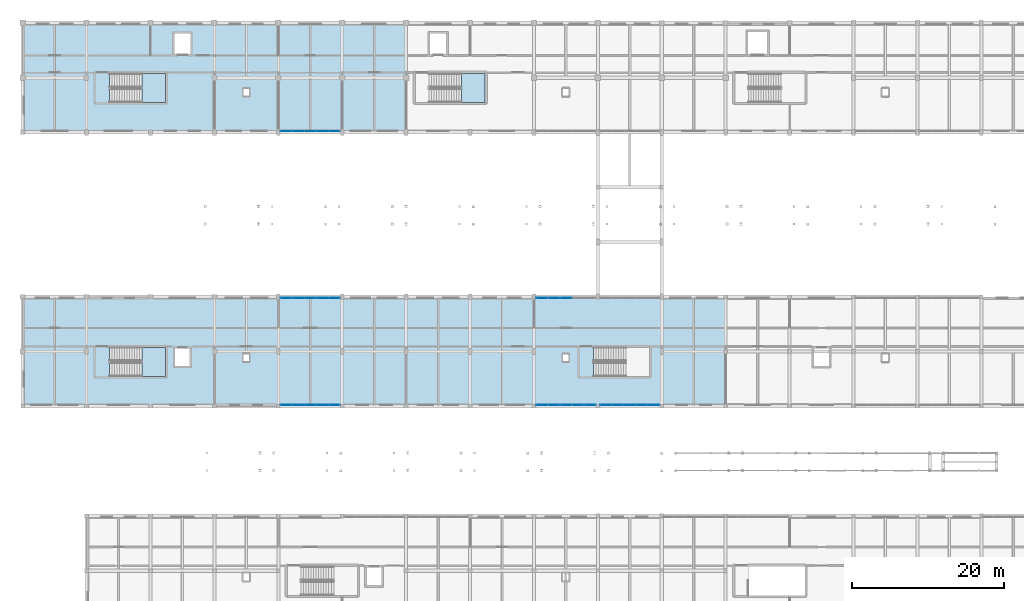
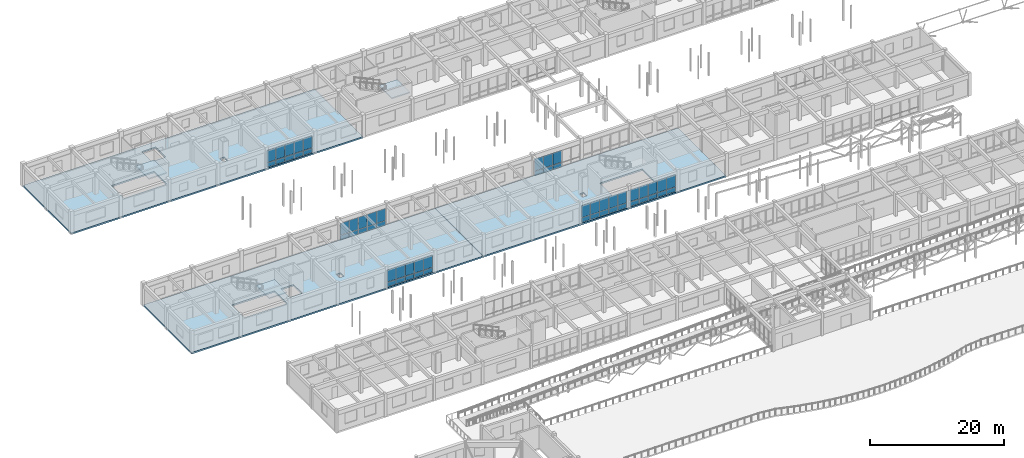
# One storey, part 60 of 90: 56 plates, 6 slabs, 9 elements without a shape of their own.
"""IFC4 building model written with IfcOpenShell, lengths in metres."""

from ifc_helpers import new_model, si_unit, direction, frame, origin, origin_2d, place, context, subcontext, project, spatial, polyline, rectangle, outline, extrude, material, layer, layer_set, type_object, element, aggregate, save


model = new_model("IFC4")

# Units and contexts
model_context = context("Model", 3, precision=1e-05, world=origin(), true_north=direction((0.0, 1.0)))
body_context = subcontext(model_context, "Body", "Model", "MODEL_VIEW")
ifc_project = project(units=[si_unit("LENGTHUNIT", "METRE"), si_unit("AREAUNIT", "SQUARE_METRE"), si_unit("VOLUMEUNIT", "CUBIC_METRE"), si_unit("PLANEANGLEUNIT", "RADIAN"), si_unit("MASSUNIT", "GRAM", prefix="KILO")], contexts=[model_context])

# Site, building, storey
site_placement = place(None, origin())
site = spatial("IfcSite", under=ifc_project, at=site_placement, CompositionType="ELEMENT")
building_placement = place(site_placement, origin())
building = spatial("IfcBuilding", under=site, at=building_placement, Name="Malvenik Polytechnic", CompositionType="ELEMENT")
storey_placement = place(building_placement, frame((0.0, 0.0, 9.300048828125)))
storey = spatial("IfcBuildingStorey", under=building, at=storey_placement, Name="L02", CompositionType="ELEMENT", Elevation=9.300048828125)

# Curtain wall, plates
ifc_material_1 = material(Name="Anodised aluminium 6060-T6", Category="aluminium")
curtain_wall_type = type_object("IfcCurtainWallType", Name="ARC-CW-CW-03", PredefinedType="NOTDEFINED", material=ifc_material_1)
curtain_wall_1_placement = place(storey_placement, origin())
curtain_wall_1 = element("IfcCurtainWall", 1, at=curtain_wall_1_placement, inside=storey, type_object=curtain_wall_type, Name="Unitised Curtain Wall CW-03 L02 #149", PredefinedType="NOTDEFINED")
ifc_material_2 = material(Name="Triple solar-control glazing 8-14-6-14-8", Category="glass")
ifc_layer_1 = layer(ifc_material_2, 0.035888671875)
ifc_layer_set_1 = layer_set([ifc_layer_1], Name="Triple solar-control glazing 8-14-6-14-8")
plate_type_1 = type_object("IfcPlateType", Name="ARC-CWP-CP-GLZ36", PredefinedType="CURTAIN_PANEL", material=ifc_layer_set_1)
plate_1_placement = place(storey_placement, frame((82.946533203125, 79.3701171875, 0.929931640625), z_axis=(0.0, 0.0, 1.0), x_axis=(-1.0, 0.0, 0.0)))
plate_1 = element("IfcPlate", 2, at=plate_1_placement, type_object=plate_type_1, Name="CW-03 panel 1.2", PredefinedType="CURTAIN_PANEL", context=body_context, shape_type="SweptSolid", body=[
    extrude(rectangle(XDim=1.49072265625, YDim=0.028076171875, at=origin_2d()), origin(), (0.0, 0.0, 1.0), 2.18994140625),
])
plate_2_placement = place(storey_placement, frame((81.380859375, 79.3701171875, 0.929931640625), z_axis=(0.0, 0.0, 1.0), x_axis=(-1.0, 0.0, 0.0)))
plate_2 = element("IfcPlate", 3, at=plate_2_placement, type_object=plate_type_1, Name="CW-03 panel 2.2", PredefinedType="CURTAIN_PANEL", context=body_context, shape_type="SweptSolid", body=[
    extrude(rectangle(XDim=1.520751953125, YDim=0.028076171875, at=origin_2d()), origin(), (0.0, 0.0, 1.0), 2.18994140625),
])
plate_3_placement = place(storey_placement, frame((79.800048828125, 79.3701171875, 0.929931640625), z_axis=(0.0, 0.0, 1.0), x_axis=(-1.0, 0.0, 0.0)))
plate_3 = element("IfcPlate", 4, at=plate_3_placement, type_object=plate_type_1, Name="CW-03 panel 3.2", PredefinedType="CURTAIN_PANEL", context=body_context, shape_type="SweptSolid", body=[
    extrude(rectangle(XDim=1.520751953125, YDim=0.028076171875, at=origin_2d()), origin(), (0.0, 0.0, 1.0), 2.18994140625),
])
plate_4_placement = place(storey_placement, frame((78.21923828125, 79.3701171875, 0.929931640625), z_axis=(0.0, 0.0, 1.0), x_axis=(-1.0, 0.0, 0.0)))
plate_4 = element("IfcPlate", 5, at=plate_4_placement, type_object=plate_type_1, Name="CW-03 panel 4.2", PredefinedType="CURTAIN_PANEL", context=body_context, shape_type="SweptSolid", body=[
    extrude(rectangle(XDim=1.520751953125, YDim=0.028076171875, at=origin_2d()), origin(), (0.0, 0.0, 1.0), 2.18994140625),
])
plate_5_placement = place(storey_placement, frame((76.6533203125, 79.3701171875, 0.929931640625), z_axis=(0.0, 0.0, 1.0), x_axis=(-1.0, 0.0, 0.0)))
plate_5 = element("IfcPlate", 6, at=plate_5_placement, type_object=plate_type_1, Name="CW-03 panel 5.2", PredefinedType="CURTAIN_PANEL", context=body_context, shape_type="SweptSolid", body=[
    extrude(rectangle(XDim=1.49072265625, YDim=0.028076171875, at=origin_2d()), origin(), (0.0, 0.0, 1.0), 2.18994140625),
])

curtain_wall_2_placement = place(storey_placement, origin())
curtain_wall_2 = element("IfcCurtainWall", 7, at=curtain_wall_2_placement, inside=storey, type_object=curtain_wall_type, Name="Unitised Curtain Wall CW-03 L02 #150", PredefinedType="NOTDEFINED")
plate_6_placement = place(storey_placement, frame((74.546630859375, 79.3701171875, 0.929931640625), z_axis=(0.0, 0.0, 1.0), x_axis=(-1.0, 0.0, 0.0)))
plate_6 = element("IfcPlate", 8, at=plate_6_placement, type_object=plate_type_1, Name="CW-03 panel 1.2", PredefinedType="CURTAIN_PANEL", context=body_context, shape_type="SweptSolid", body=[
    extrude(rectangle(XDim=1.49072265625, YDim=0.028076171875, at=origin_2d()), origin(), (0.0, 0.0, 1.0), 2.18994140625),
])
plate_7_placement = place(storey_placement, frame((72.980712890625, 79.3701171875, 0.929931640625), z_axis=(0.0, 0.0, 1.0), x_axis=(-1.0, 0.0, 0.0)))
plate_7 = element("IfcPlate", 9, at=plate_7_placement, type_object=plate_type_1, Name="CW-03 panel 2.2", PredefinedType="CURTAIN_PANEL", context=body_context, shape_type="SweptSolid", body=[
    extrude(rectangle(XDim=1.520751953125, YDim=0.028076171875, at=origin_2d()), origin(), (0.0, 0.0, 1.0), 2.18994140625),
])
plate_8_placement = place(storey_placement, frame((71.39990234375, 79.3701171875, 0.929931640625), z_axis=(0.0, 0.0, 1.0), x_axis=(-1.0, 0.0, 0.0)))
plate_8 = element("IfcPlate", 10, at=plate_8_placement, type_object=plate_type_1, Name="CW-03 panel 3.2", PredefinedType="CURTAIN_PANEL", context=body_context, shape_type="SweptSolid", body=[
    extrude(rectangle(XDim=1.520751953125, YDim=0.028076171875, at=origin_2d()), origin(), (0.0, 0.0, 1.0), 2.18994140625),
])
plate_9_placement = place(storey_placement, frame((69.819091796875, 79.3701171875, 0.929931640625), z_axis=(0.0, 0.0, 1.0), x_axis=(-1.0, 0.0, 0.0)))
plate_9 = element("IfcPlate", 11, at=plate_9_placement, type_object=plate_type_1, Name="CW-03 panel 4.2", PredefinedType="CURTAIN_PANEL", context=body_context, shape_type="SweptSolid", body=[
    extrude(rectangle(XDim=1.520751953125, YDim=0.028076171875, at=origin_2d()), origin(), (0.0, 0.0, 1.0), 2.18994140625),
])
plate_10_placement = place(storey_placement, frame((68.25341796875, 79.3701171875, 0.929931640625), z_axis=(0.0, 0.0, 1.0), x_axis=(-1.0, 0.0, 0.0)))
plate_10 = element("IfcPlate", 12, at=plate_10_placement, type_object=plate_type_1, Name="CW-03 panel 5.2", PredefinedType="CURTAIN_PANEL", context=body_context, shape_type="SweptSolid", body=[
    extrude(rectangle(XDim=1.49072265625, YDim=0.028076171875, at=origin_2d()), origin(), (0.0, 0.0, 1.0), 2.18994140625),
])

curtain_wall_3_placement = place(storey_placement, origin())
curtain_wall_3 = element("IfcCurtainWall", 13, at=curtain_wall_3_placement, inside=storey, type_object=curtain_wall_type, Name="Unitised Curtain Wall CW-03 L02 #151", PredefinedType="NOTDEFINED")
plate_11_placement = place(storey_placement, frame((40.946533203125, 79.3701171875, 0.929931640625), z_axis=(0.0, 0.0, 1.0), x_axis=(-1.0, 0.0, 0.0)))
plate_11 = element("IfcPlate", 14, at=plate_11_placement, type_object=plate_type_1, Name="CW-03 panel 1.2", PredefinedType="CURTAIN_PANEL", context=body_context, shape_type="SweptSolid", body=[
    extrude(rectangle(XDim=1.49072265625, YDim=0.028076171875, at=origin_2d()), origin(), (0.0, 0.0, 1.0), 2.18994140625),
])
plate_12_placement = place(storey_placement, frame((39.380859375, 79.3701171875, 0.929931640625), z_axis=(0.0, 0.0, 1.0), x_axis=(-1.0, 0.0, 0.0)))
plate_12 = element("IfcPlate", 15, at=plate_12_placement, type_object=plate_type_1, Name="CW-03 panel 2.2", PredefinedType="CURTAIN_PANEL", context=body_context, shape_type="SweptSolid", body=[
    extrude(rectangle(XDim=1.520751953125, YDim=0.028076171875, at=origin_2d()), origin(), (0.0, 0.0, 1.0), 2.18994140625),
])
plate_13_placement = place(storey_placement, frame((37.800048828125, 79.3701171875, 0.929931640625), z_axis=(0.0, 0.0, 1.0), x_axis=(-1.0, 0.0, 0.0)))
plate_13 = element("IfcPlate", 16, at=plate_13_placement, type_object=plate_type_1, Name="CW-03 panel 3.2", PredefinedType="CURTAIN_PANEL", context=body_context, shape_type="SweptSolid", body=[
    extrude(rectangle(XDim=1.520751953125, YDim=0.028076171875, at=origin_2d()), origin(), (0.0, 0.0, 1.0), 2.18994140625),
])
plate_14_placement = place(storey_placement, frame((36.21923828125, 79.3701171875, 0.929931640625), z_axis=(0.0, 0.0, 1.0), x_axis=(-1.0, 0.0, 0.0)))
plate_14 = element("IfcPlate", 17, at=plate_14_placement, type_object=plate_type_1, Name="CW-03 panel 4.2", PredefinedType="CURTAIN_PANEL", context=body_context, shape_type="SweptSolid", body=[
    extrude(rectangle(XDim=1.520751953125, YDim=0.028076171875, at=origin_2d()), origin(), (0.0, 0.0, 1.0), 2.18994140625),
])
plate_15_placement = place(storey_placement, frame((34.6533203125, 79.3701171875, 0.929931640625), z_axis=(0.0, 0.0, 1.0), x_axis=(-1.0, 0.0, 0.0)))
plate_15 = element("IfcPlate", 18, at=plate_15_placement, type_object=plate_type_1, Name="CW-03 panel 5.2", PredefinedType="CURTAIN_PANEL", context=body_context, shape_type="SweptSolid", body=[
    extrude(rectangle(XDim=1.49072265625, YDim=0.028076171875, at=origin_2d()), origin(), (0.0, 0.0, 1.0), 2.18994140625),
])

curtain_wall_4_placement = place(storey_placement, origin())
curtain_wall_4 = element("IfcCurtainWall", 19, at=curtain_wall_4_placement, inside=storey, type_object=curtain_wall_type, Name="Unitised Curtain Wall CW-03 L02 #152", PredefinedType="NOTDEFINED")
plate_16_placement = place(storey_placement, frame((34.6533203125, 93.429931640625, 0.929931640625), z_axis=(0.0, 0.0, 1.0), x_axis=(1.0, 0.0, 0.0)))
plate_16 = element("IfcPlate", 20, at=plate_16_placement, type_object=plate_type_1, Name="CW-03 panel 1.2", PredefinedType="CURTAIN_PANEL", context=body_context, shape_type="SweptSolid", body=[
    extrude(rectangle(XDim=1.49072265625, YDim=0.028076171875, at=origin_2d()), origin(), (0.0, 0.0, 1.0), 2.18994140625),
])
plate_17_placement = place(storey_placement, frame((36.21923828125, 93.429931640625, 0.929931640625), z_axis=(0.0, 0.0, 1.0), x_axis=(1.0, 0.0, 0.0)))
plate_17 = element("IfcPlate", 21, at=plate_17_placement, type_object=plate_type_1, Name="CW-03 panel 2.2", PredefinedType="CURTAIN_PANEL", context=body_context, shape_type="SweptSolid", body=[
    extrude(rectangle(XDim=1.520751953125, YDim=0.028076171875, at=origin_2d()), origin(), (0.0, 0.0, 1.0), 2.18994140625),
])
plate_18_placement = place(storey_placement, frame((37.800048828125, 93.429931640625, 0.929931640625), z_axis=(0.0, 0.0, 1.0), x_axis=(1.0, 0.0, 0.0)))
plate_18 = element("IfcPlate", 22, at=plate_18_placement, type_object=plate_type_1, Name="CW-03 panel 3.2", PredefinedType="CURTAIN_PANEL", context=body_context, shape_type="SweptSolid", body=[
    extrude(rectangle(XDim=1.520751953125, YDim=0.028076171875, at=origin_2d()), origin(), (0.0, 0.0, 1.0), 2.18994140625),
])
plate_19_placement = place(storey_placement, frame((39.380859375, 93.429931640625, 0.929931640625), z_axis=(0.0, 0.0, 1.0), x_axis=(1.0, 0.0, 0.0)))
plate_19 = element("IfcPlate", 23, at=plate_19_placement, type_object=plate_type_1, Name="CW-03 panel 4.2", PredefinedType="CURTAIN_PANEL", context=body_context, shape_type="SweptSolid", body=[
    extrude(rectangle(XDim=1.520751953125, YDim=0.028076171875, at=origin_2d()), origin(), (0.0, 0.0, 1.0), 2.18994140625),
])
plate_20_placement = place(storey_placement, frame((40.946533203125, 93.429931640625, 0.929931640625), z_axis=(0.0, 0.0, 1.0), x_axis=(1.0, 0.0, 0.0)))
plate_20 = element("IfcPlate", 24, at=plate_20_placement, type_object=plate_type_1, Name="CW-03 panel 5.2", PredefinedType="CURTAIN_PANEL", context=body_context, shape_type="SweptSolid", body=[
    extrude(rectangle(XDim=1.49072265625, YDim=0.028076171875, at=origin_2d()), origin(), (0.0, 0.0, 1.0), 2.18994140625),
])

curtain_wall_5_placement = place(storey_placement, origin())
curtain_wall_5 = element("IfcCurtainWall", 25, at=curtain_wall_5_placement, inside=storey, type_object=curtain_wall_type, Name="Unitised Curtain Wall CW-03 L02 #153", PredefinedType="NOTDEFINED")
plate_21_placement = place(storey_placement, frame((68.25341796875, 93.429931640625, 0.929931640625), z_axis=(0.0, 0.0, 1.0), x_axis=(1.0, 0.0, 0.0)))
plate_21 = element("IfcPlate", 26, at=plate_21_placement, type_object=plate_type_1, Name="CW-03 panel 1.2", PredefinedType="CURTAIN_PANEL", context=body_context, shape_type="SweptSolid", body=[
    extrude(rectangle(XDim=1.49072265625, YDim=0.028076171875, at=origin_2d()), origin(), (0.0, 0.0, 1.0), 2.18994140625),
])
plate_22_placement = place(storey_placement, frame((69.819091796875, 93.429931640625, 0.929931640625), z_axis=(0.0, 0.0, 1.0), x_axis=(1.0, 0.0, 0.0)))
plate_22 = element("IfcPlate", 27, at=plate_22_placement, type_object=plate_type_1, Name="CW-03 panel 2.2", PredefinedType="CURTAIN_PANEL", context=body_context, shape_type="SweptSolid", body=[
    extrude(rectangle(XDim=1.520751953125, YDim=0.028076171875, at=origin_2d()), origin(), (0.0, 0.0, 1.0), 2.18994140625),
])
plate_23_placement = place(storey_placement, frame((71.39990234375, 93.429931640625, 0.929931640625), z_axis=(0.0, 0.0, 1.0), x_axis=(1.0, 0.0, 0.0)))
plate_23 = element("IfcPlate", 28, at=plate_23_placement, type_object=plate_type_1, Name="CW-03 panel 3.2", PredefinedType="CURTAIN_PANEL", context=body_context, shape_type="SweptSolid", body=[
    extrude(rectangle(XDim=1.520751953125, YDim=0.028076171875, at=origin_2d()), origin(), (0.0, 0.0, 1.0), 2.18994140625),
])

curtain_wall_6_placement = place(storey_placement, origin())
curtain_wall_6 = element("IfcCurtainWall", 29, at=curtain_wall_6_placement, inside=storey, type_object=curtain_wall_type, Name="Unitised Curtain Wall CW-03 L02 #161", PredefinedType="NOTDEFINED")
plate_24_placement = place(storey_placement, frame((40.946533203125, 115.3701171875, 0.929931640625), z_axis=(0.0, 0.0, 1.0), x_axis=(-1.0, 0.0, 0.0)))
plate_24 = element("IfcPlate", 30, at=plate_24_placement, type_object=plate_type_1, Name="CW-03 panel 1.2", PredefinedType="CURTAIN_PANEL", context=body_context, shape_type="SweptSolid", body=[
    extrude(rectangle(XDim=1.49072265625, YDim=0.028076171875, at=origin_2d()), origin(), (0.0, 0.0, 1.0), 2.18994140625),
])
plate_25_placement = place(storey_placement, frame((39.380859375, 115.3701171875, 0.929931640625), z_axis=(0.0, 0.0, 1.0), x_axis=(-1.0, 0.0, 0.0)))
plate_25 = element("IfcPlate", 31, at=plate_25_placement, type_object=plate_type_1, Name="CW-03 panel 2.2", PredefinedType="CURTAIN_PANEL", context=body_context, shape_type="SweptSolid", body=[
    extrude(rectangle(XDim=1.520751953125, YDim=0.028076171875, at=origin_2d()), origin(), (0.0, 0.0, 1.0), 2.18994140625),
])
plate_26_placement = place(storey_placement, frame((37.800048828125, 115.3701171875, 0.929931640625), z_axis=(0.0, 0.0, 1.0), x_axis=(-1.0, 0.0, 0.0)))
plate_26 = element("IfcPlate", 32, at=plate_26_placement, type_object=plate_type_1, Name="CW-03 panel 3.2", PredefinedType="CURTAIN_PANEL", context=body_context, shape_type="SweptSolid", body=[
    extrude(rectangle(XDim=1.520751953125, YDim=0.028076171875, at=origin_2d()), origin(), (0.0, 0.0, 1.0), 2.18994140625),
])
plate_27_placement = place(storey_placement, frame((36.21923828125, 115.3701171875, 0.929931640625), z_axis=(0.0, 0.0, 1.0), x_axis=(-1.0, 0.0, 0.0)))
plate_27 = element("IfcPlate", 33, at=plate_27_placement, type_object=plate_type_1, Name="CW-03 panel 4.2", PredefinedType="CURTAIN_PANEL", context=body_context, shape_type="SweptSolid", body=[
    extrude(rectangle(XDim=1.520751953125, YDim=0.028076171875, at=origin_2d()), origin(), (0.0, 0.0, 1.0), 2.18994140625),
])
plate_28_placement = place(storey_placement, frame((34.6533203125, 115.3701171875, 0.929931640625), z_axis=(0.0, 0.0, 1.0), x_axis=(-1.0, 0.0, 0.0)))
plate_28 = element("IfcPlate", 34, at=plate_28_placement, type_object=plate_type_1, Name="CW-03 panel 5.2", PredefinedType="CURTAIN_PANEL", context=body_context, shape_type="SweptSolid", body=[
    extrude(rectangle(XDim=1.49072265625, YDim=0.028076171875, at=origin_2d()), origin(), (0.0, 0.0, 1.0), 2.18994140625),
])

# Plate
ifc_material_3 = material(Name="Insulated aluminium spandrel cassette 42mm", Category="aluminium")
ifc_layer_2 = layer(ifc_material_3, 0.0419921875)
ifc_layer_set_2 = layer_set([ifc_layer_2], Name="Insulated aluminium spandrel cassette 42mm")
plate_type_2 = type_object("IfcPlateType", Name="ARC-CWP-CP-SPN42", PredefinedType="CURTAIN_PANEL", material=ifc_layer_set_2)
plate_29_placement = place(storey_placement, frame((82.946533203125, 79.3701171875, 0.059814453125), z_axis=(0.0, 0.0, 1.0), x_axis=(-1.0, 0.0, 0.0)))
plate_29 = element("IfcPlate", 35, at=plate_29_placement, type_object=plate_type_2, Name="CW-03 panel 1.1", PredefinedType="CURTAIN_PANEL", context=body_context, shape_type="SweptSolid", body=[
    extrude(rectangle(XDim=1.49072265625, YDim=0.028076171875, at=origin_2d()), origin(), (0.0, 0.0, 1.0), 0.81005859375),
])

plate_30_placement = place(storey_placement, frame((81.380859375, 79.3701171875, 0.059814453125), z_axis=(0.0, 0.0, 1.0), x_axis=(-1.0, 0.0, 0.0)))
plate_30 = element("IfcPlate", 36, at=plate_30_placement, type_object=plate_type_2, Name="CW-03 panel 2.1", PredefinedType="CURTAIN_PANEL", context=body_context, shape_type="SweptSolid", body=[
    extrude(rectangle(XDim=1.520751953125, YDim=0.028076171875, at=origin_2d()), origin(), (0.0, 0.0, 1.0), 0.81005859375),
])

plate_31_placement = place(storey_placement, frame((79.800048828125, 79.3701171875, 0.059814453125), z_axis=(0.0, 0.0, 1.0), x_axis=(-1.0, 0.0, 0.0)))
plate_31 = element("IfcPlate", 37, at=plate_31_placement, type_object=plate_type_2, Name="CW-03 panel 3.1", PredefinedType="CURTAIN_PANEL", context=body_context, shape_type="SweptSolid", body=[
    extrude(rectangle(XDim=1.520751953125, YDim=0.028076171875, at=origin_2d()), origin(), (0.0, 0.0, 1.0), 0.81005859375),
])

plate_32_placement = place(storey_placement, frame((78.21923828125, 79.3701171875, 0.059814453125), z_axis=(0.0, 0.0, 1.0), x_axis=(-1.0, 0.0, 0.0)))
plate_32 = element("IfcPlate", 38, at=plate_32_placement, type_object=plate_type_2, Name="CW-03 panel 4.1", PredefinedType="CURTAIN_PANEL", context=body_context, shape_type="SweptSolid", body=[
    extrude(rectangle(XDim=1.520751953125, YDim=0.028076171875, at=origin_2d()), origin(), (0.0, 0.0, 1.0), 0.81005859375),
])

plate_33_placement = place(storey_placement, frame((76.6533203125, 79.3701171875, 0.059814453125), z_axis=(0.0, 0.0, 1.0), x_axis=(-1.0, 0.0, 0.0)))
plate_33 = element("IfcPlate", 39, at=plate_33_placement, type_object=plate_type_2, Name="CW-03 panel 5.1", PredefinedType="CURTAIN_PANEL", context=body_context, shape_type="SweptSolid", body=[
    extrude(rectangle(XDim=1.49072265625, YDim=0.028076171875, at=origin_2d()), origin(), (0.0, 0.0, 1.0), 0.81005859375),
])

aggregate(curtain_wall_1, [plate_29, plate_1, plate_30, plate_2, plate_31, plate_3, plate_32, plate_4, plate_33, plate_5])

plate_34_placement = place(storey_placement, frame((74.546630859375, 79.3701171875, 0.059814453125), z_axis=(0.0, 0.0, 1.0), x_axis=(-1.0, 0.0, 0.0)))
plate_34 = element("IfcPlate", 40, at=plate_34_placement, type_object=plate_type_2, Name="CW-03 panel 1.1", PredefinedType="CURTAIN_PANEL", context=body_context, shape_type="SweptSolid", body=[
    extrude(rectangle(XDim=1.49072265625, YDim=0.028076171875, at=origin_2d()), origin(), (0.0, 0.0, 1.0), 0.81005859375),
])

plate_35_placement = place(storey_placement, frame((72.980712890625, 79.3701171875, 0.059814453125), z_axis=(0.0, 0.0, 1.0), x_axis=(-1.0, 0.0, 0.0)))
plate_35 = element("IfcPlate", 41, at=plate_35_placement, type_object=plate_type_2, Name="CW-03 panel 2.1", PredefinedType="CURTAIN_PANEL", context=body_context, shape_type="SweptSolid", body=[
    extrude(rectangle(XDim=1.520751953125, YDim=0.028076171875, at=origin_2d()), origin(), (0.0, 0.0, 1.0), 0.81005859375),
])

plate_36_placement = place(storey_placement, frame((71.39990234375, 79.3701171875, 0.059814453125), z_axis=(0.0, 0.0, 1.0), x_axis=(-1.0, 0.0, 0.0)))
plate_36 = element("IfcPlate", 42, at=plate_36_placement, type_object=plate_type_2, Name="CW-03 panel 3.1", PredefinedType="CURTAIN_PANEL", context=body_context, shape_type="SweptSolid", body=[
    extrude(rectangle(XDim=1.520751953125, YDim=0.028076171875, at=origin_2d()), origin(), (0.0, 0.0, 1.0), 0.81005859375),
])

plate_37_placement = place(storey_placement, frame((69.819091796875, 79.3701171875, 0.059814453125), z_axis=(0.0, 0.0, 1.0), x_axis=(-1.0, 0.0, 0.0)))
plate_37 = element("IfcPlate", 43, at=plate_37_placement, type_object=plate_type_2, Name="CW-03 panel 4.1", PredefinedType="CURTAIN_PANEL", context=body_context, shape_type="SweptSolid", body=[
    extrude(rectangle(XDim=1.520751953125, YDim=0.028076171875, at=origin_2d()), origin(), (0.0, 0.0, 1.0), 0.81005859375),
])

plate_38_placement = place(storey_placement, frame((68.25341796875, 79.3701171875, 0.059814453125), z_axis=(0.0, 0.0, 1.0), x_axis=(-1.0, 0.0, 0.0)))
plate_38 = element("IfcPlate", 44, at=plate_38_placement, type_object=plate_type_2, Name="CW-03 panel 5.1", PredefinedType="CURTAIN_PANEL", context=body_context, shape_type="SweptSolid", body=[
    extrude(rectangle(XDim=1.49072265625, YDim=0.028076171875, at=origin_2d()), origin(), (0.0, 0.0, 1.0), 0.81005859375),
])

aggregate(curtain_wall_2, [plate_34, plate_6, plate_35, plate_7, plate_36, plate_8, plate_37, plate_9, plate_38, plate_10])

plate_39_placement = place(storey_placement, frame((40.946533203125, 79.3701171875, 0.059814453125), z_axis=(0.0, 0.0, 1.0), x_axis=(-1.0, 0.0, 0.0)))
plate_39 = element("IfcPlate", 45, at=plate_39_placement, type_object=plate_type_2, Name="CW-03 panel 1.1", PredefinedType="CURTAIN_PANEL", context=body_context, shape_type="SweptSolid", body=[
    extrude(rectangle(XDim=1.49072265625, YDim=0.028076171875, at=origin_2d()), origin(), (0.0, 0.0, 1.0), 0.81005859375),
])

plate_40_placement = place(storey_placement, frame((39.380859375, 79.3701171875, 0.059814453125), z_axis=(0.0, 0.0, 1.0), x_axis=(-1.0, 0.0, 0.0)))
plate_40 = element("IfcPlate", 46, at=plate_40_placement, type_object=plate_type_2, Name="CW-03 panel 2.1", PredefinedType="CURTAIN_PANEL", context=body_context, shape_type="SweptSolid", body=[
    extrude(rectangle(XDim=1.520751953125, YDim=0.028076171875, at=origin_2d()), origin(), (0.0, 0.0, 1.0), 0.81005859375),
])

plate_41_placement = place(storey_placement, frame((37.800048828125, 79.3701171875, 0.059814453125), z_axis=(0.0, 0.0, 1.0), x_axis=(-1.0, 0.0, 0.0)))
plate_41 = element("IfcPlate", 47, at=plate_41_placement, type_object=plate_type_2, Name="CW-03 panel 3.1", PredefinedType="CURTAIN_PANEL", context=body_context, shape_type="SweptSolid", body=[
    extrude(rectangle(XDim=1.520751953125, YDim=0.028076171875, at=origin_2d()), origin(), (0.0, 0.0, 1.0), 0.81005859375),
])

plate_42_placement = place(storey_placement, frame((36.21923828125, 79.3701171875, 0.059814453125), z_axis=(0.0, 0.0, 1.0), x_axis=(-1.0, 0.0, 0.0)))
plate_42 = element("IfcPlate", 48, at=plate_42_placement, type_object=plate_type_2, Name="CW-03 panel 4.1", PredefinedType="CURTAIN_PANEL", context=body_context, shape_type="SweptSolid", body=[
    extrude(rectangle(XDim=1.520751953125, YDim=0.028076171875, at=origin_2d()), origin(), (0.0, 0.0, 1.0), 0.81005859375),
])

plate_43_placement = place(storey_placement, frame((34.6533203125, 79.3701171875, 0.059814453125), z_axis=(0.0, 0.0, 1.0), x_axis=(-1.0, 0.0, 0.0)))
plate_43 = element("IfcPlate", 49, at=plate_43_placement, type_object=plate_type_2, Name="CW-03 panel 5.1", PredefinedType="CURTAIN_PANEL", context=body_context, shape_type="SweptSolid", body=[
    extrude(rectangle(XDim=1.49072265625, YDim=0.028076171875, at=origin_2d()), origin(), (0.0, 0.0, 1.0), 0.81005859375),
])

aggregate(curtain_wall_3, [plate_39, plate_11, plate_40, plate_12, plate_41, plate_13, plate_42, plate_14, plate_43, plate_15])

plate_44_placement = place(storey_placement, frame((34.6533203125, 93.429931640625, 0.059814453125), z_axis=(0.0, 0.0, 1.0), x_axis=(1.0, 0.0, 0.0)))
plate_44 = element("IfcPlate", 50, at=plate_44_placement, type_object=plate_type_2, Name="CW-03 panel 1.1", PredefinedType="CURTAIN_PANEL", context=body_context, shape_type="SweptSolid", body=[
    extrude(rectangle(XDim=1.49072265625, YDim=0.028076171875, at=origin_2d()), origin(), (0.0, 0.0, 1.0), 0.81005859375),
])

plate_45_placement = place(storey_placement, frame((36.21923828125, 93.429931640625, 0.059814453125), z_axis=(0.0, 0.0, 1.0), x_axis=(1.0, 0.0, 0.0)))
plate_45 = element("IfcPlate", 51, at=plate_45_placement, type_object=plate_type_2, Name="CW-03 panel 2.1", PredefinedType="CURTAIN_PANEL", context=body_context, shape_type="SweptSolid", body=[
    extrude(rectangle(XDim=1.520751953125, YDim=0.028076171875, at=origin_2d()), origin(), (0.0, 0.0, 1.0), 0.81005859375),
])

plate_46_placement = place(storey_placement, frame((37.800048828125, 93.429931640625, 0.059814453125), z_axis=(0.0, 0.0, 1.0), x_axis=(1.0, 0.0, 0.0)))
plate_46 = element("IfcPlate", 52, at=plate_46_placement, type_object=plate_type_2, Name="CW-03 panel 3.1", PredefinedType="CURTAIN_PANEL", context=body_context, shape_type="SweptSolid", body=[
    extrude(rectangle(XDim=1.520751953125, YDim=0.028076171875, at=origin_2d()), origin(), (0.0, 0.0, 1.0), 0.81005859375),
])

plate_47_placement = place(storey_placement, frame((39.380859375, 93.429931640625, 0.059814453125), z_axis=(0.0, 0.0, 1.0), x_axis=(1.0, 0.0, 0.0)))
plate_47 = element("IfcPlate", 53, at=plate_47_placement, type_object=plate_type_2, Name="CW-03 panel 4.1", PredefinedType="CURTAIN_PANEL", context=body_context, shape_type="SweptSolid", body=[
    extrude(rectangle(XDim=1.520751953125, YDim=0.028076171875, at=origin_2d()), origin(), (0.0, 0.0, 1.0), 0.81005859375),
])

plate_48_placement = place(storey_placement, frame((40.946533203125, 93.429931640625, 0.059814453125), z_axis=(0.0, 0.0, 1.0), x_axis=(1.0, 0.0, 0.0)))
plate_48 = element("IfcPlate", 54, at=plate_48_placement, type_object=plate_type_2, Name="CW-03 panel 5.1", PredefinedType="CURTAIN_PANEL", context=body_context, shape_type="SweptSolid", body=[
    extrude(rectangle(XDim=1.49072265625, YDim=0.028076171875, at=origin_2d()), origin(), (0.0, 0.0, 1.0), 0.81005859375),
])

aggregate(curtain_wall_4, [plate_44, plate_16, plate_45, plate_17, plate_46, plate_18, plate_47, plate_19, plate_48, plate_20])

plate_49_placement = place(storey_placement, frame((68.25341796875, 93.429931640625, 0.059814453125), z_axis=(0.0, 0.0, 1.0), x_axis=(1.0, 0.0, 0.0)))
plate_49 = element("IfcPlate", 55, at=plate_49_placement, type_object=plate_type_2, Name="CW-03 panel 1.1", PredefinedType="CURTAIN_PANEL", context=body_context, shape_type="SweptSolid", body=[
    extrude(rectangle(XDim=1.49072265625, YDim=0.028076171875, at=origin_2d()), origin(), (0.0, 0.0, 1.0), 0.81005859375),
])

plate_50_placement = place(storey_placement, frame((69.819091796875, 93.429931640625, 0.059814453125), z_axis=(0.0, 0.0, 1.0), x_axis=(1.0, 0.0, 0.0)))
plate_50 = element("IfcPlate", 56, at=plate_50_placement, type_object=plate_type_2, Name="CW-03 panel 2.1", PredefinedType="CURTAIN_PANEL", context=body_context, shape_type="SweptSolid", body=[
    extrude(rectangle(XDim=1.520751953125, YDim=0.028076171875, at=origin_2d()), origin(), (0.0, 0.0, 1.0), 0.81005859375),
])

plate_51_placement = place(storey_placement, frame((71.39990234375, 93.429931640625, 0.059814453125), z_axis=(0.0, 0.0, 1.0), x_axis=(1.0, 0.0, 0.0)))
plate_51 = element("IfcPlate", 57, at=plate_51_placement, type_object=plate_type_2, Name="CW-03 panel 3.1", PredefinedType="CURTAIN_PANEL", context=body_context, shape_type="SweptSolid", body=[
    extrude(rectangle(XDim=1.520751953125, YDim=0.028076171875, at=origin_2d()), origin(), (0.0, 0.0, 1.0), 0.81005859375),
])

aggregate(curtain_wall_5, [plate_49, plate_21, plate_50, plate_22, plate_51, plate_23])

plate_52_placement = place(storey_placement, frame((40.946533203125, 115.3701171875, 0.059814453125), z_axis=(0.0, 0.0, 1.0), x_axis=(-1.0, 0.0, 0.0)))
plate_52 = element("IfcPlate", 58, at=plate_52_placement, type_object=plate_type_2, Name="CW-03 panel 1.1", PredefinedType="CURTAIN_PANEL", context=body_context, shape_type="SweptSolid", body=[
    extrude(rectangle(XDim=1.49072265625, YDim=0.028076171875, at=origin_2d()), origin(), (0.0, 0.0, 1.0), 0.81005859375),
])

plate_53_placement = place(storey_placement, frame((39.380859375, 115.3701171875, 0.059814453125), z_axis=(0.0, 0.0, 1.0), x_axis=(-1.0, 0.0, 0.0)))
plate_53 = element("IfcPlate", 59, at=plate_53_placement, type_object=plate_type_2, Name="CW-03 panel 2.1", PredefinedType="CURTAIN_PANEL", context=body_context, shape_type="SweptSolid", body=[
    extrude(rectangle(XDim=1.520751953125, YDim=0.028076171875, at=origin_2d()), origin(), (0.0, 0.0, 1.0), 0.81005859375),
])

plate_54_placement = place(storey_placement, frame((37.800048828125, 115.3701171875, 0.059814453125), z_axis=(0.0, 0.0, 1.0), x_axis=(-1.0, 0.0, 0.0)))
plate_54 = element("IfcPlate", 60, at=plate_54_placement, type_object=plate_type_2, Name="CW-03 panel 3.1", PredefinedType="CURTAIN_PANEL", context=body_context, shape_type="SweptSolid", body=[
    extrude(rectangle(XDim=1.520751953125, YDim=0.028076171875, at=origin_2d()), origin(), (0.0, 0.0, 1.0), 0.81005859375),
])

plate_55_placement = place(storey_placement, frame((36.21923828125, 115.3701171875, 0.059814453125), z_axis=(0.0, 0.0, 1.0), x_axis=(-1.0, 0.0, 0.0)))
plate_55 = element("IfcPlate", 61, at=plate_55_placement, type_object=plate_type_2, Name="CW-03 panel 4.1", PredefinedType="CURTAIN_PANEL", context=body_context, shape_type="SweptSolid", body=[
    extrude(rectangle(XDim=1.520751953125, YDim=0.028076171875, at=origin_2d()), origin(), (0.0, 0.0, 1.0), 0.81005859375),
])

plate_56_placement = place(storey_placement, frame((34.6533203125, 115.3701171875, 0.059814453125), z_axis=(0.0, 0.0, 1.0), x_axis=(-1.0, 0.0, 0.0)))
plate_56 = element("IfcPlate", 62, at=plate_56_placement, type_object=plate_type_2, Name="CW-03 panel 5.1", PredefinedType="CURTAIN_PANEL", context=body_context, shape_type="SweptSolid", body=[
    extrude(rectangle(XDim=1.49072265625, YDim=0.028076171875, at=origin_2d()), origin(), (0.0, 0.0, 1.0), 0.81005859375),
])

aggregate(curtain_wall_6, [plate_52, plate_24, plate_53, plate_25, plate_54, plate_26, plate_55, plate_27, plate_56, plate_28])

# Stair, slab
ifc_material_4 = material(Name="Concrete C35/45", Category="concrete")
stair_type_1 = type_object("IfcStairType", Name="ARC-STR-ST-01", PredefinedType="HALF_TURN_STAIR", material=ifc_material_4)
stair_1_placement = place(storey_placement, origin())
stair_1 = element("IfcStair", 63, at=stair_1_placement, inside=storey, type_object=stair_type_1, Name="L02 Escape Stair ST-01", PredefinedType="HALF_TURN_STAIR")
ifc_layer_3 = layer(ifc_material_4, 0.199951171875)
ifc_layer_set_3 = layer_set([ifc_layer_3], Name="Concrete C35/45")
slab_type_1 = type_object("IfcSlabType", Name="ARC-SLB-STLND", PredefinedType="LANDING", material=ifc_layer_set_3)
slab_1_placement = place(storey_placement, frame((0.0, 0.0, 1.89990234375)))
slab_1 = element("IfcSlab", 64, at=slab_1_placement, type_object=slab_type_1, Name="ST-01 landing 1", PredefinedType="LANDING", context=body_context, shape_type="SweptSolid", body=[
    extrude(outline(polyline([(15.68994140625, 119.14990234375), (18.800048828125, 119.14990234375), (18.800048828125, 122.949951171875), (15.68994140625, 122.949951171875), (15.68994140625, 119.14990234375)])), origin(), (0.0, 0.0, 1.0), 0.199951171875),
])
aggregate(stair_1, [slab_1])

stair_type_2 = type_object("IfcStairType", Name="ARC-STR-ST-02", PredefinedType="HALF_TURN_STAIR", material=ifc_material_4)
stair_2_placement = place(storey_placement, origin())
stair_2 = element("IfcStair", 65, at=stair_2_placement, inside=storey, type_object=stair_type_2, Name="L02 Escape Stair ST-02", PredefinedType="HALF_TURN_STAIR")
slab_2_placement = place(storey_placement, frame((0.0, 0.0, 1.89990234375)))
slab_2 = element("IfcSlab", 66, at=slab_2_placement, type_object=slab_type_1, Name="ST-02 landing 1", PredefinedType="LANDING", context=body_context, shape_type="SweptSolid", body=[
    extrude(outline(polyline([(57.68994140625, 119.14990234375), (60.800048828125, 119.14990234375), (60.800048828125, 122.949951171875), (57.68994140625, 122.949951171875), (57.68994140625, 119.14990234375)])), origin(), (0.0, 0.0, 1.0), 0.199951171875),
])
aggregate(stair_2, [slab_2])

stair_type_3 = type_object("IfcStairType", Name="ARC-STR-ST-04", PredefinedType="HALF_TURN_STAIR", material=ifc_material_4)
stair_3_placement = place(storey_placement, origin())
stair_3 = element("IfcStair", 67, at=stair_3_placement, inside=storey, type_object=stair_type_3, Name="L02 Escape Stair ST-04", PredefinedType="HALF_TURN_STAIR")
slab_3_placement = place(storey_placement, frame((0.0, 0.0, 1.89990234375)))
slab_3 = element("IfcSlab", 68, at=slab_3_placement, type_object=slab_type_1, Name="ST-04 landing 1", PredefinedType="LANDING", context=body_context, shape_type="SweptSolid", body=[
    extrude(outline(polyline([(15.68994140625, 83.14990234375), (18.800048828125, 83.14990234375), (18.800048828125, 86.949951171875), (15.68994140625, 86.949951171875), (15.68994140625, 83.14990234375)])), origin(), (0.0, 0.0, 1.0), 0.199951171875),
])
aggregate(stair_3, [slab_3])

# Slabs
ifc_layer_4 = layer(ifc_material_4, 0.280029296875)
ifc_layer_set_4 = layer_set([ifc_layer_4], Name="Concrete C35/45")
slab_type_2 = type_object("IfcSlabType", Name="STR-SLB-FLR-280", PredefinedType="FLOOR", material=ifc_layer_set_4)
slab_4_placement = place(storey_placement, frame((0.0, 0.0, -0.280029296875)))
element("IfcSlab", 69, at=slab_4_placement, inside=storey, type_object=slab_type_2, Name="Structural Slab L02-V1 #67", PredefinedType="FLOOR", context=body_context, shape_type="SweptSolid", body=[
    extrude(outline(polyline([(0.0, 129.60009765625), (50.3798828125, 129.60009765625), (50.3798828125, 115.199951171875), (0.0, 115.199951171875), (0.0, 129.60009765625)]), holes=[polyline([(29.75, 120.949951171875), (29.0, 120.949951171875), (29.0, 120.0), (29.75, 120.0), (29.75, 120.949951171875)]), polyline([(18.800048828125, 119.14990234375), (18.800048828125, 122.949951171875), (11.41796875, 122.949951171875), (11.41796875, 119.14990234375), (18.800048828125, 119.14990234375)]), polyline([(22.199951171875, 128.35009765625), (19.800048828125, 128.35009765625), (19.800048828125, 125.35009765625), (22.199951171875, 125.35009765625), (22.199951171875, 128.35009765625)])]), origin(), (0.0, 0.0, 1.0), 0.280029296875),
])
slab_5_placement = place(storey_placement, frame((0.0, 0.0, -0.280029296875)))
element("IfcSlab", 70, at=slab_5_placement, inside=storey, type_object=slab_type_2, Name="Structural Slab L02-V2 #70", PredefinedType="FLOOR", context=body_context, shape_type="SweptSolid", body=[
    extrude(outline(polyline([(50.3798828125, 93.60009765625), (50.3798828125, 79.199951171875), (0.0, 79.199951171875), (0.0, 93.60009765625), (50.3798828125, 93.60009765625)]), holes=[polyline([(18.800048828125, 83.14990234375), (18.800048828125, 86.949951171875), (11.41796875, 86.949951171875), (11.41796875, 83.14990234375), (18.800048828125, 83.14990234375)]), polyline([(29.75, 86.050048828125), (29.0, 86.050048828125), (29.0, 85.10009765625), (29.75, 85.10009765625), (29.75, 86.050048828125)]), polyline([(19.89990234375, 86.949951171875), (19.89990234375, 84.35009765625), (22.10009765625, 84.35009765625), (22.10009765625, 86.949951171875), (19.89990234375, 86.949951171875)])]), origin(), (0.0, 0.0, 1.0), 0.280029296875),
])
slab_6_placement = place(storey_placement, frame((0.0, 0.0, -0.280029296875)))
element("IfcSlab", 71, at=slab_6_placement, inside=storey, type_object=slab_type_2, Name="Structural Slab L02-V2 #71", PredefinedType="FLOOR", context=body_context, shape_type="SweptSolid", body=[
    extrude(outline(polyline([(92.3798828125, 93.60009765625), (92.3798828125, 79.199951171875), (50.419921875, 79.199951171875), (50.419921875, 93.60009765625), (92.3798828125, 93.60009765625)]), holes=[polyline([(82.39990234375, 83.14990234375), (82.39990234375, 86.949951171875), (75.01806640625, 86.949951171875), (75.01806640625, 83.14990234375), (82.39990234375, 83.14990234375)]), polyline([(71.75, 86.050048828125), (71.0, 86.050048828125), (71.0, 85.10009765625), (71.75, 85.10009765625), (71.75, 86.050048828125)])]), origin(), (0.0, 0.0, 1.0), 0.280029296875),
])

save(model, "model.ifc")
